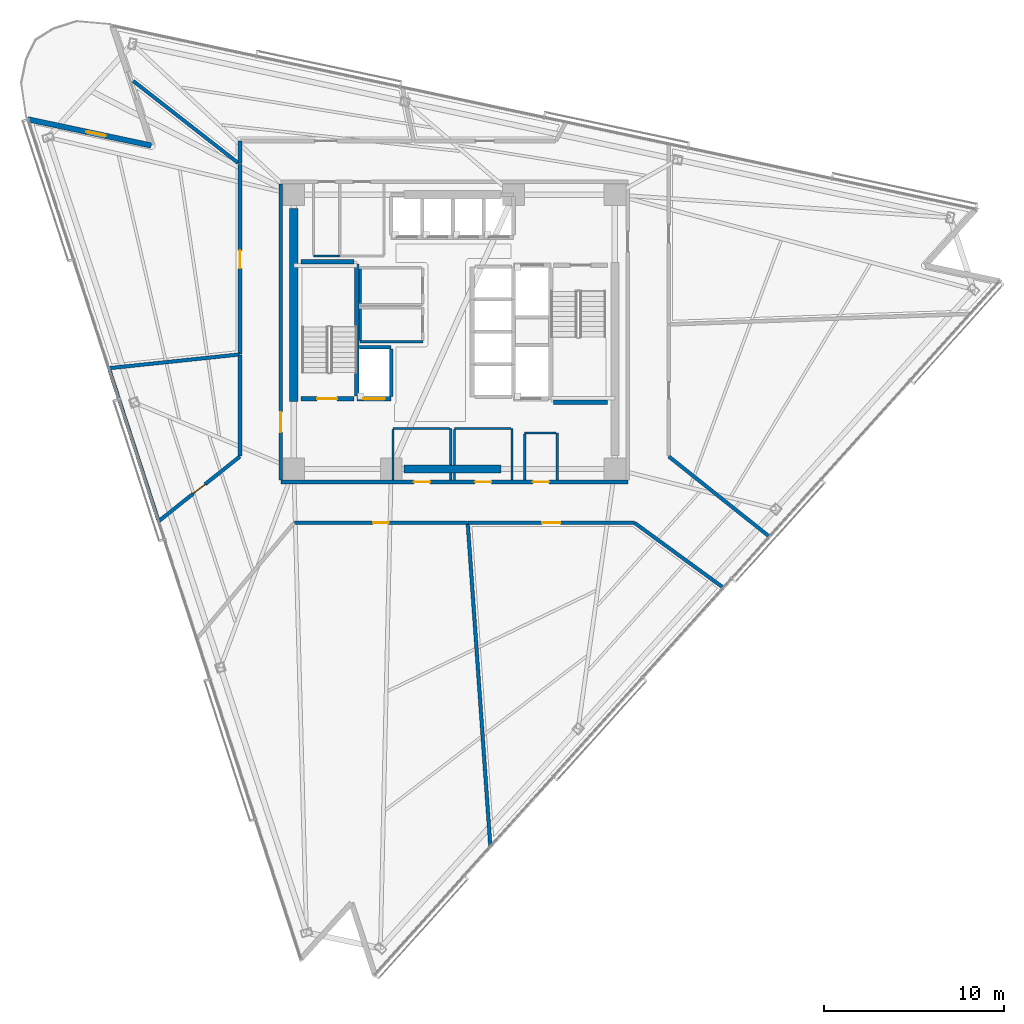
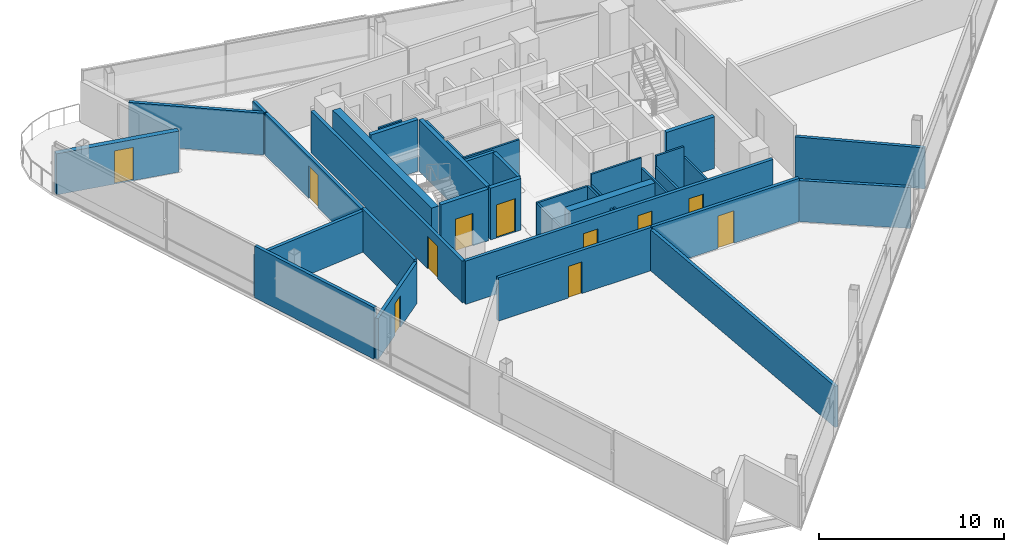
# One storey, part 10 of 17: 39 walls, 11 doors, 11 openings.
"""IFC4 building model written with IfcOpenShell, lengths in metres."""

import ifcopenshell
import ifcopenshell.guid

model = None  # the IFC model being written
_history = None  # IfcOwnerHistory: only IFC2X3 demands one
_inside = {}  # id of a spatial element -> (the spatial element, [elements in it])
_under = {}  # id of a project, library or spatial element -> (it, [spatial elements below it])
_declared = {}  # id of a project -> (the project, [libraries it declares])
_typed = {}  # id of a type object -> (the type object, [elements of that type])
_made_of = {}  # id of a material, layer set ... -> (it, [elements and type objects made of it])


def new_model(schema):
    """Start an empty IFC model of exactly this schema.

    Asked for "IFC4X3", IfcOpenShell would pick the latest addendum, in which some entities
    have other attributes; the version numbers below select the first issue.
    IFC2X3 requires an IfcOwnerHistory on every rooted entity: one is made here for all.
    """
    global model, _history
    if schema == "IFC4X3":
        model = ifcopenshell.file(schema_version=(4, 3, 0, 0))
    else:
        model = ifcopenshell.file(schema=schema)
    _inside.clear()
    _under.clear()
    _declared.clear()
    _typed.clear()
    _made_of.clear()
    _history = None
    if model.schema == "IFC2X3":
        org = make("IfcOrganization", Name="unknown")
        user = make(
            "IfcPersonAndOrganization",
            ThePerson=make("IfcPerson", FamilyName="unknown"),
            TheOrganization=org,
        )
        app = make(
            "IfcApplication",
            ApplicationDeveloper=org,
            Version="unknown",
            ApplicationFullName="unknown",
            ApplicationIdentifier="unknown",
        )
        _history = make(
            "IfcOwnerHistory",
            OwningUser=user,
            OwningApplication=app,
            ChangeAction="ADDED",
            CreationDate=0,
        )
    return model


def make(cls, **values):
    """One entity of the class cls with the attributes given. An attribute that is None is left unset."""
    return model.create_entity(
        cls, **{name: value for name, value in values.items() if value is not None}
    )


def rooted(cls, **values):
    """An entity with a GlobalId (a new one), such as an element, a storey or a relation."""
    return make(cls, GlobalId=ifcopenshell.guid.new(), OwnerHistory=_history, **values)


def si_unit(unit_type, name, prefix=None):
    """IfcSIUnit, for example si_unit("LENGTHUNIT", "METRE", prefix="MILLI")."""
    return make("IfcSIUnit", UnitType=unit_type, Prefix=prefix, Name=name)


def assignment(units):
    """IfcUnitAssignment: the units of a project."""
    return None if units is None else make("IfcUnitAssignment", Units=units)


def point(xyz):
    """IfcCartesianPoint."""
    return None if xyz is None else make("IfcCartesianPoint", Coordinates=xyz)


def direction(xyz):
    """IfcDirection."""
    return None if xyz is None else make("IfcDirection", DirectionRatios=xyz)


def frame(location, z_axis=None, x_axis=None):
    """IfcAxis2Placement3D, a coordinate frame: its origin and axes. An axis left out is left unset."""
    return make(
        "IfcAxis2Placement3D",
        Location=point(location),
        Axis=direction(z_axis),
        RefDirection=direction(x_axis),
    )


def frame_2d(location, x_axis=None):
    """IfcAxis2Placement2D, a coordinate frame in the plane: its origin and x axis."""
    return make(
        "IfcAxis2Placement2D", Location=point(location), RefDirection=direction(x_axis)
    )


def origin():
    """The frame at (0, 0, 0) with its axes left unset."""
    return frame((0.0, 0.0, 0.0))


def place(relative_to, where):
    """IfcLocalPlacement: puts the frame where relative to a parent placement (None: the world)."""
    return make(
        "IfcLocalPlacement", PlacementRelTo=relative_to, RelativePlacement=where
    )


def context(
    kind, dimensions, precision=None, world=None, true_north=None, identifier=None
):
    """IfcGeometricRepresentationContext, for example the 3D "Model" context."""
    return make(
        "IfcGeometricRepresentationContext",
        ContextIdentifier=identifier,
        ContextType=kind,
        CoordinateSpaceDimension=dimensions,
        Precision=precision,
        WorldCoordinateSystem=world,
        TrueNorth=true_north,
    )


def subcontext(parent, identifier, kind, view, scale=None):
    """IfcGeometricRepresentationSubContext, for example "Body" below "Model"."""
    return make(
        "IfcGeometricRepresentationSubContext",
        ContextIdentifier=identifier,
        ContextType=kind,
        ParentContext=parent,
        TargetScale=scale,
        TargetView=view,
    )


def project(units=None, contexts=None):
    """IfcProject with its units and contexts."""
    return rooted(
        "IfcProject",
        Name="project",
        RepresentationContexts=contexts,
        UnitsInContext=assignment(units),
    )


def spatial(cls, under=None, at=None, **own):
    """A site, building, storey or space (cls), placed at a placement, below another one or the project."""
    s = rooted(cls, ObjectPlacement=at, **own)
    if under is not None:
        _under.setdefault(under.id(), (under, []))[1].append(s)
    return s


def profile(cls, at=None, kind="AREA", **sizes):
    """A parametric profile (cls). Its sizes go by their IFC names, for example OverallWidth=200.0."""
    return make(cls, ProfileType=kind, Position=at, **sizes)


def rectangle(**sizes):
    """IfcRectangleProfileDef."""
    return profile("IfcRectangleProfileDef", **sizes)


def extrude(swept, where, along, depth):
    """IfcExtrudedAreaSolid: the profile swept, set in the frame where, extruded along a direction by depth."""
    return make(
        "IfcExtrudedAreaSolid",
        SweptArea=swept,
        Position=where,
        ExtrudedDirection=direction(along),
        Depth=depth,
    )


def shape(context_of_items, identifier, shape_type, items):
    """IfcShapeRepresentation: the items that make up one representation, for example the "Body"."""
    return make(
        "IfcShapeRepresentation",
        ContextOfItems=context_of_items,
        RepresentationIdentifier=identifier,
        RepresentationType=shape_type,
        Items=items,
    )


def material(Name=None, Category=None):
    """IfcMaterial."""
    return make("IfcMaterial", Name=Name, Category=Category)


def layer(
    of_material, thickness, ventilated=None, Name=None, Category=None, Priority=None
):
    """IfcMaterialLayer: one layer of a wall or slab, of a material (None: an air gap)."""
    return make(
        "IfcMaterialLayer",
        Material=of_material,
        LayerThickness=thickness,
        IsVentilated=ventilated,
        Name=Name,
        Category=Category,
        Priority=Priority,
    )


def layer_set(layers, Name=None):
    """IfcMaterialLayerSet."""
    return make("IfcMaterialLayerSet", MaterialLayers=layers, LayerSetName=Name)


def made_of(thing, what):
    """Note that an element or type object is made of a material, layer set ...; save() writes the relation."""
    if what is not None:
        _made_of.setdefault(what.id(), (what, []))[1].append(thing)
    return thing


def type_object(cls, material=None, **own):
    """A type object (cls), such as IfcWallType, which elements share."""
    return made_of(rooted(cls, **own), material)


def element(
    cls,
    number,
    at=None,
    inside=None,
    cuts=None,
    type_object=None,
    material=None,
    context=None,
    identifier="Body",
    shape_type=None,
    held_by="IfcProductDefinitionShape",
    body=None,
    shapes=None,
    **own,
):
    """One element of the class cls, such as IfcWall. Its Tag is "e" and its number.

    at: its placement. inside: the storey or other place that contains it. cuts: it is an
    opening in that element (IfcRelVoidsElement). A single representation is given by context,
    identifier, shape_type and body (its items); several are given by shapes. held_by: the class
    of the entity that holds the representations. save() writes the other relations.
    """
    e = rooted(cls, Tag="e%d" % number, ObjectPlacement=at, **own)
    if body is not None:
        shapes = [shape(context, identifier, shape_type, body)]
    if shapes is not None:
        e.Representation = make(held_by, Representations=shapes)
    if inside is not None:
        _inside.setdefault(inside.id(), (inside, []))[1].append(e)
    if cuts is not None:
        rooted(
            "IfcRelVoidsElement", RelatingBuildingElement=cuts, RelatedOpeningElement=e
        )
    if type_object is not None:
        _typed.setdefault(type_object.id(), (type_object, []))[1].append(e)
    return made_of(e, material)


def fill(opening, filler):
    """IfcRelFillsElement: the door or window that sits in an opening."""
    return rooted(
        "IfcRelFillsElement",
        RelatingOpeningElement=opening,
        RelatedBuildingElement=filler,
    )


def aggregate(whole, parts):
    """IfcRelAggregates: a whole, such as a stair, and the parts it consists of."""
    return rooted("IfcRelAggregates", RelatingObject=whole, RelatedObjects=parts)


def save(model, path):
    """Write the relations noted so far, then the file.

    IfcRelAggregates (storeys below a building ...), IfcRelContainedInSpatialStructure (elements
    in a storey), IfcRelDefinesByType, IfcRelAssociatesMaterial and IfcRelDeclares: one each for
    every whole, place, type object, material and project.
    """
    for whole, parts in _under.values():
        aggregate(whole, parts)
    for where, things in _inside.values():
        rooted(
            "IfcRelContainedInSpatialStructure",
            RelatedElements=things,
            RelatingStructure=where,
        )
    for kind, things in _typed.values():
        rooted("IfcRelDefinesByType", RelatedObjects=things, RelatingType=kind)
    for what, things in _made_of.values():
        rooted("IfcRelAssociatesMaterial", RelatedObjects=things, RelatingMaterial=what)
    for by, libraries in _declared.values():
        rooted("IfcRelDeclares", RelatingContext=by, RelatedDefinitions=libraries)
    model.write(path)


model = new_model("IFC4")

# Units and contexts
model_context = context("Model", 3, precision=1e-05, world=origin(), true_north=direction((0.0, 1.0)))
body_context = subcontext(model_context, "Body", "Model", "MODEL_VIEW")
ifc_project = project(units=[si_unit("LENGTHUNIT", "METRE"), si_unit("AREAUNIT", "SQUARE_METRE"), si_unit("VOLUMEUNIT", "CUBIC_METRE"), si_unit("PLANEANGLEUNIT", "RADIAN"), si_unit("MASSUNIT", "GRAM", prefix="KILO")], contexts=[model_context])

# Site, building, storey
site_placement = place(None, origin())
site = spatial("IfcSite", under=ifc_project, at=site_placement, CompositionType="ELEMENT")
building_placement = place(site_placement, origin())
building = spatial("IfcBuilding", under=site, at=building_placement, Name="Tharavind Bronze Gate", CompositionType="ELEMENT")
storey_placement = place(building_placement, frame((0.0, 0.0, 204.050048828125)))
storey = spatial("IfcBuildingStorey", under=building, at=storey_placement, Name="L52", CompositionType="ELEMENT", Elevation=204.050048828125)

# Wall, opening, door
ifc_material_1 = material(Name="Concrete C40/50", Category="concrete")
ifc_layer_1 = layer(ifc_material_1, 0.300048828125)
ifc_layer_set_1 = layer_set([ifc_layer_1], Name="Concrete C40/50")
wall_type_1 = type_object("IfcWallType", Name="EXTERIOR SPANDREL WALL 300", PredefinedType="STANDARD", material=ifc_layer_set_1)
wall_1_placement = place(storey_placement, frame((-16.802734375, 10.329345703125, 0.0), z_axis=(0.0, 0.0, 1.0), x_axis=(-0.9781486268, 0.207906863497, 0.0)))
wall_1 = element("IfcWall", 1, at=wall_1_placement, inside=storey, type_object=wall_type_1, Name="L52 notch cheek wall 1B", PredefinedType="STANDARD", context=body_context, shape_type="SweptSolid", body=[
    extrude(rectangle(XDim=6.97998046875, YDim=0.300048828125, at=frame_2d((3.489990234375, 0.0))), origin(), (0.0, 0.0, 1.0), 2.71484375),
])
opening_1_placement = place(wall_1_placement, frame((2.570068359375, 0.0, 0.0)))
opening_1 = element("IfcOpeningElement", 2, at=opening_1_placement, cuts=wall_1, Name="Opening ED04", PredefinedType="OPENING", context=body_context, shape_type="SweptSolid", body=[
    extrude(rectangle(XDim=1.10009765625, YDim=2.199951171875, at=frame_2d((0.550048828125, 1.10009765625))), frame((0.0, 0.15990234375, 0.0), z_axis=(0.0, -1.0, 0.0), x_axis=(1.0, 0.0, 0.0)), (0.0, 0.0, 1.0), 0.320048828125),
])
ifc_material_2 = material(Name="Bronze Aluminium & Toughened Glass", Category="aluminium")
door_type_1 = type_object("IfcDoorType", Name="TREE BALCONY ACCESS DOOR 1100X2200", OperationType="SINGLE_SWING_LEFT", PredefinedType="DOOR", material=ifc_material_2)
door_1_placement = place(opening_1_placement, origin())
door_1 = element("IfcDoor", 3, at=door_1_placement, inside=storey, type_object=door_type_1, Name="L52 tree balcony access door", OperationType="SINGLE_SWING_LEFT", OverallHeight=2.199951171875, OverallWidth=1.10009765625, PredefinedType="DOOR", context=body_context, shape_type="SweptSolid", body=[
    extrude(rectangle(XDim=1.10009765625, YDim=2.199951171875, at=frame_2d((0.550048828125, 1.10009765625))), frame((0.0, 0.02490234375, 0.0), z_axis=(0.0, -1.0, 0.0), x_axis=(1.0, 0.0, 0.0)), (0.0, 0.0, 1.0), 0.050048828125),
])
fill(opening_1, door_1)

# Wall, openings, doors
ifc_material_3 = material(Name="Aerated Concrete Block", Category="concrete")
ifc_layer_2 = layer(ifc_material_3, 0.199951171875)
ifc_layer_set_2 = layer_set([ifc_layer_2], Name="Aerated Concrete Block")
wall_type_2 = type_object("IfcWallType", Name="FIRE RATED PARTITION 200", PredefinedType="PARTITIONING", material=ifc_layer_set_2)
wall_2_placement = place(storey_placement, frame((-9.6201171875, -8.320068359375, 0.0), z_axis=(0.0, 0.0, 1.0), x_axis=(1.0, 0.0, 0.0)))
wall_2 = element("IfcWall", 4, at=wall_2_placement, inside=storey, type_object=wall_type_2, Name="L52 south core corridor wall", PredefinedType="PARTITIONING", context=body_context, shape_type="SweptSolid", body=[
    extrude(rectangle(XDim=19.240234375, YDim=0.199951171875, at=frame_2d((9.6201171875, 0.0))), origin(), (0.0, 0.0, 1.0), 2.864990234375),
])
opening_2_placement = place(wall_2_placement, frame((7.3701171875, 0.0, 0.0)))
opening_2 = element("IfcOpeningElement", 5, at=opening_2_placement, cuts=wall_2, Name="Opening ID07", PredefinedType="OPENING", context=body_context, shape_type="SweptSolid", body=[
    extrude(rectangle(XDim=0.89990234375, YDim=2.10009765625, at=frame_2d((0.449951171875, 1.050048828125))), frame((0.0, 0.11009765625, 0.0), z_axis=(0.0, -1.0, 0.0), x_axis=(1.0, 0.0, 0.0)), (0.0, 0.0, 1.0), 0.219951171875),
])
opening_3_placement = place(wall_2_placement, frame((10.77001953125, 0.0, 0.0)))
opening_3 = element("IfcOpeningElement", 6, at=opening_3_placement, cuts=wall_2, Name="Opening ID07", PredefinedType="OPENING", context=body_context, shape_type="SweptSolid", body=[
    extrude(rectangle(XDim=0.89990234375, YDim=2.10009765625, at=frame_2d((0.449951171875, 1.050048828125))), frame((0.0, 0.11009765625, 0.0), z_axis=(0.0, -1.0, 0.0), x_axis=(1.0, 0.0, 0.0)), (0.0, 0.0, 1.0), 0.219951171875),
])
opening_4_placement = place(wall_2_placement, frame((13.969970703125, 0.0, 0.0)))
opening_4 = element("IfcOpeningElement", 7, at=opening_4_placement, cuts=wall_2, Name="Opening ID07", PredefinedType="OPENING", context=body_context, shape_type="SweptSolid", body=[
    extrude(rectangle(XDim=0.89990234375, YDim=2.10009765625, at=frame_2d((0.449951171875, 1.050048828125))), frame((0.0, 0.11009765625, 0.0), z_axis=(0.0, -1.0, 0.0), x_axis=(1.0, 0.0, 0.0)), (0.0, 0.0, 1.0), 0.219951171875),
])
ifc_material_4 = material(Name="Galvanised Fire Steel", Category="steel")
door_type_2 = type_object("IfcDoorType", Name="PLANT AND RISER FIRE DOOR 900X2100", OperationType="SINGLE_SWING_LEFT", PredefinedType="DOOR", material=ifc_material_4)
door_2_placement = place(opening_2_placement, frame((0.89990234375, 0.0, 0.0), z_axis=(0.0, 0.0, 1.0), x_axis=(-1.0, 0.0, 0.0)))
door_2 = element("IfcDoor", 8, at=door_2_placement, inside=storey, type_object=door_type_2, Name="L52 Core Archive Store fire door", OperationType="SINGLE_SWING_LEFT", OverallHeight=2.10009765625, OverallWidth=0.89990234375, PredefinedType="DOOR", context=body_context, shape_type="SweptSolid", body=[
    extrude(rectangle(XDim=0.89990234375, YDim=2.10009765625, at=frame_2d((0.449951171875, 1.050048828125))), frame((0.0, 0.02490234375, 0.0), z_axis=(0.0, -1.0, 0.0), x_axis=(1.0, 0.0, 0.0)), (0.0, 0.0, 1.0), 0.050048828125),
])
fill(opening_2, door_2)
door_3_placement = place(opening_3_placement, frame((0.89990234375, 0.0, 0.0), z_axis=(0.0, 0.0, 1.0), x_axis=(-1.0, 0.0, 0.0)))
door_3 = element("IfcDoor", 9, at=door_3_placement, inside=storey, type_object=door_type_2, Name="L52 Core Server Room fire door", OperationType="SINGLE_SWING_LEFT", OverallHeight=2.10009765625, OverallWidth=0.89990234375, PredefinedType="DOOR", context=body_context, shape_type="SweptSolid", body=[
    extrude(rectangle(XDim=0.89990234375, YDim=2.10009765625, at=frame_2d((0.449951171875, 1.050048828125))), frame((0.0, 0.02490234375, 0.0), z_axis=(0.0, -1.0, 0.0), x_axis=(1.0, 0.0, 0.0)), (0.0, 0.0, 1.0), 0.050048828125),
])
fill(opening_3, door_3)
door_4_placement = place(opening_4_placement, frame((0.89990234375, 0.0, 0.0), z_axis=(0.0, 0.0, 1.0), x_axis=(-1.0, 0.0, 0.0)))
door_4 = element("IfcDoor", 10, at=door_4_placement, inside=storey, type_object=door_type_2, Name="L52 Janitor Store Cupboard fire door", OperationType="SINGLE_SWING_LEFT", OverallHeight=2.10009765625, OverallWidth=0.89990234375, PredefinedType="DOOR", context=body_context, shape_type="SweptSolid", body=[
    extrude(rectangle(XDim=0.89990234375, YDim=2.10009765625, at=frame_2d((0.449951171875, 1.050048828125))), frame((0.0, 0.02490234375, 0.0), z_axis=(0.0, -1.0, 0.0), x_axis=(1.0, 0.0, 0.0)), (0.0, 0.0, 1.0), 0.050048828125),
])
fill(opening_4, door_4)

# Wall, opening, door
wall_3_placement = place(storey_placement, frame((-9.6201171875, 8.199951171875, 0.0), z_axis=(0.0, 0.0, 1.0), x_axis=(0.0, -1.0, 0.0)))
wall_3 = element("IfcWall", 11, at=wall_3_placement, inside=storey, type_object=wall_type_2, Name="L52 west core corridor wall", PredefinedType="PARTITIONING", context=body_context, shape_type="SweptSolid", body=[
    extrude(rectangle(XDim=16.39990234375, YDim=0.199951171875, at=frame_2d((8.199951171875, 0.0))), origin(), (0.0, 0.0, 1.0), 2.764892578125),
])
opening_5_placement = place(wall_3_placement, frame((12.64990234375, 0.0, 0.0)))
opening_5 = element("IfcOpeningElement", 12, at=opening_5_placement, cuts=wall_3, Name="Opening ID01", PredefinedType="OPENING", context=body_context, shape_type="SweptSolid", body=[
    extrude(rectangle(XDim=1.10009765625, YDim=2.14990234375, at=frame_2d((0.550048828125, 1.074951171875))), frame((0.0, 0.11009765625, 0.0), z_axis=(0.0, -1.0, 0.0), x_axis=(1.0, 0.0, 0.0)), (0.0, 0.0, 1.0), 0.219951171875),
])
ifc_material_5 = material(Name="Fire-Rated Steel", Category="steel")
door_type_3 = type_object("IfcDoorType", Name="STAIR CORE FIRE DOOR 1100X2150", OperationType="SINGLE_SWING_LEFT", PredefinedType="DOOR", material=ifc_material_5)
door_5_placement = place(opening_5_placement, frame((1.10009765625, 0.0, 0.0), z_axis=(0.0, 0.0, 1.0), x_axis=(-1.0, 0.0, 0.0)))
door_5 = element("IfcDoor", 13, at=door_5_placement, inside=storey, type_object=door_type_3, Name="L52 south west stair lobby fire door", OperationType="SINGLE_SWING_LEFT", OverallHeight=2.14990234375, OverallWidth=1.10009765625, PredefinedType="DOOR", context=body_context, shape_type="SweptSolid", body=[
    extrude(rectangle(XDim=1.10009765625, YDim=2.14990234375, at=frame_2d((0.550048828125, 1.074951171875))), frame((0.0, 0.02490234375, 0.0), z_axis=(0.0, -1.0, 0.0), x_axis=(1.0, 0.0, 0.0)), (0.0, 0.0, 1.0), 0.050048828125),
])
fill(opening_5, door_5)

# Walls
wall_4_placement = place(storey_placement, frame((-19.1484375, -2.0126953125, 0.0), z_axis=(0.0, 0.0, 1.0), x_axis=(0.994519041439, 0.104555613029, 0.0)))
element("IfcWall", 14, at=wall_4_placement, inside=storey, type_object=wall_type_2, Name="L52 Public Restrooms Block partition", PredefinedType="PARTITIONING", context=body_context, shape_type="SweptSolid", body=[
    extrude(rectangle(XDim=7.280517578125, YDim=0.199951171875, at=frame_2d((3.64013671875, 0.0))), origin(), (0.0, 0.0, 1.0), 2.71484375),
])
wall_5_placement = place(storey_placement, frame((-11.8798828125, -1.2763671875, 0.0), z_axis=(0.0, 0.0, 1.0), x_axis=(0.0, -1.0, 0.0)))
element("IfcWall", 15, at=wall_5_placement, inside=storey, type_object=wall_type_2, Name="L52 Public Restrooms Block partition", PredefinedType="PARTITIONING", context=body_context, shape_type="SweptSolid", body=[
    extrude(rectangle(XDim=5.614990234375, YDim=0.199951171875, at=frame_2d((2.8076171875, 0.0))), origin(), (0.0, 0.0, 1.0), 2.864990234375),
])

# Wall, opening, door
wall_6_placement = place(storey_placement, frame((-11.889404296875, -6.910888671875, 0.0), z_axis=(0.0, 0.0, 1.0), x_axis=(-0.782381192735, -0.622799862922, 0.0)))
wall_6 = element("IfcWall", 16, at=wall_6_placement, inside=storey, type_object=wall_type_2, Name="L52 Public Restrooms Block partition", PredefinedType="PARTITIONING", context=body_context, shape_type="SweptSolid", body=[
    extrude(rectangle(XDim=5.75537109375, YDim=0.199951171875, at=frame_2d((2.877685546875, 0.0))), origin(), (0.0, 0.0, 1.0), 2.71484375),
])
opening_6_placement = place(wall_6_placement, frame((2.452880859375, 0.0, 0.0)))
opening_6 = element("IfcOpeningElement", 17, at=opening_6_placement, cuts=wall_6, Name="Opening ID06", PredefinedType="OPENING", context=body_context, shape_type="SweptSolid", body=[
    extrude(rectangle(XDim=0.85009765625, YDim=2.10009765625, at=frame_2d((0.425048828125, 1.050048828125))), frame((0.0, 0.11009765625, 0.0), z_axis=(0.0, -1.0, 0.0), x_axis=(1.0, 0.0, 0.0)), (0.0, 0.0, 1.0), 0.219951171875),
])
ifc_material_6 = material(Name="Moisture-Resistant Timber", Category="wood")
door_type_4 = type_object("IfcDoorType", Name="BATHROOM PRIVACY DOOR 850X2100", OperationType="SINGLE_SWING_RIGHT", PredefinedType="DOOR", material=ifc_material_6)
door_6_placement = place(opening_6_placement, origin())
door_6 = element("IfcDoor", 18, at=door_6_placement, inside=storey, type_object=door_type_4, Name="L52 Public Restrooms Block door", OperationType="SINGLE_SWING_RIGHT", OverallHeight=2.10009765625, OverallWidth=0.85009765625, PredefinedType="DOOR", context=body_context, shape_type="SweptSolid", body=[
    extrude(rectangle(XDim=0.85009765625, YDim=2.10009765625, at=frame_2d((0.425048828125, 1.050048828125))), frame((0.0, 0.02490234375, 0.0), z_axis=(0.0, -1.0, 0.0), x_axis=(1.0, 0.0, 0.0)), (0.0, 0.0, 1.0), 0.050048828125),
])
fill(opening_6, door_6)

# Wall
wall_7_placement = place(storey_placement, frame((-16.427001953125, -10.388916015625, 0.0), z_axis=(0.0, 0.0, 1.0), x_axis=(-0.309020714809, 0.951055307445, 0.0)))
element("IfcWall", 19, at=wall_7_placement, inside=storey, type_object=wall_type_2, Name="L52 Public Restrooms Block partition", PredefinedType="PARTITIONING", context=body_context, shape_type="SweptSolid", body=[
    extrude(rectangle(XDim=8.699951171875, YDim=0.199951171875, at=frame_2d((4.35009765625, 0.0))), origin(), (0.0, 0.0, 1.0), 3.419921875),
])

# Wall, opening, door
wall_8_placement = place(storey_placement, frame((-8.865966796875, -10.580078125, 0.0), z_axis=(0.0, 0.0, 1.0), x_axis=(1.0, 0.0, 0.0)))
wall_8 = element("IfcWall", 20, at=wall_8_placement, inside=storey, type_object=wall_type_2, Name="L52 Public Restrooms Block partition", PredefinedType="PARTITIONING", context=body_context, shape_type="SweptSolid", body=[
    extrude(rectangle(XDim=9.58251953125, YDim=0.199951171875, at=frame_2d((4.791259765625, 0.0))), origin(), (0.0, 0.0, 1.0), 2.864990234375),
])
opening_7_placement = place(wall_8_placement, frame((4.365966796875, 0.0, 0.0)))
opening_7 = element("IfcOpeningElement", 21, at=opening_7_placement, cuts=wall_8, Name="Opening ID06", PredefinedType="OPENING", context=body_context, shape_type="SweptSolid", body=[
    extrude(rectangle(XDim=0.85009765625, YDim=2.10009765625, at=frame_2d((0.425048828125, 1.050048828125))), frame((0.0, 0.11009765625, 0.0), z_axis=(0.0, -1.0, 0.0), x_axis=(1.0, 0.0, 0.0)), (0.0, 0.0, 1.0), 0.219951171875),
])
door_7_placement = place(opening_7_placement, origin())
door_7 = element("IfcDoor", 22, at=door_7_placement, inside=storey, type_object=door_type_4, Name="L52 Public Restrooms Block door", OperationType="SINGLE_SWING_RIGHT", OverallHeight=2.10009765625, OverallWidth=0.85009765625, PredefinedType="DOOR", context=body_context, shape_type="SweptSolid", body=[
    extrude(rectangle(XDim=0.85009765625, YDim=2.10009765625, at=frame_2d((0.425048828125, 1.050048828125))), frame((0.0, 0.02490234375, 0.0), z_axis=(0.0, -1.0, 0.0), x_axis=(1.0, 0.0, 0.0)), (0.0, 0.0, 1.0), 0.050048828125),
])
fill(opening_7, door_7)

# Walls
wall_9_placement = place(storey_placement, frame((0.741455078125, -10.603271484375, 0.0), z_axis=(0.0, 0.0, 1.0), x_axis=(0.069754121939, -0.997564214711, 0.0)))
element("IfcWall", 23, at=wall_9_placement, inside=storey, type_object=wall_type_2, Name="L52 Public Restrooms Block partition", PredefinedType="PARTITIONING", context=body_context, shape_type="SweptSolid", body=[
    extrude(rectangle(XDim=17.944580078125, YDim=0.199951171875, at=frame_2d((8.97216796875, 0.0))), origin(), (0.0, 0.0, 1.0), 2.71484375),
])
wall_10_placement = place(storey_placement, frame((-11.8798828125, 10.579345703125, 0.0), z_axis=(0.0, 0.0, 1.0), x_axis=(0.0, -1.0, 0.0)))
element("IfcWall", 24, at=wall_10_placement, inside=storey, type_object=wall_type_2, Name="L52 Pitch Arena Meeting Room partition", PredefinedType="PARTITIONING", context=body_context, shape_type="SweptSolid", body=[
    extrude(rectangle(XDim=1.246337890625, YDim=0.199951171875, at=frame_2d((0.623046875, 0.0))), origin(), (0.0, 0.0, 1.0), 2.764892578125),
])
wall_11_placement = place(storey_placement, frame((-11.985107421875, 9.36376953125, 0.0), z_axis=(0.0, 0.0, 1.0), x_axis=(-0.788011338845, 0.615660726254, 0.0)))
element("IfcWall", 25, at=wall_11_placement, inside=storey, type_object=wall_type_2, Name="L52 Pitch Arena Meeting Room partition", PredefinedType="PARTITIONING", context=body_context, shape_type="SweptSolid", body=[
    extrude(rectangle(XDim=7.383056640625, YDim=0.199951171875, at=frame_2d((3.69140625, 0.0))), origin(), (0.0, 0.0, 1.0), 2.764892578125),
])

# Wall, opening, door
wall_12_placement = place(storey_placement, frame((-11.8798828125, 9.26953125, 0.0), z_axis=(0.0, 0.0, 1.0), x_axis=(0.0, -1.0, 0.0)))
wall_12 = element("IfcWall", 26, at=wall_12_placement, inside=storey, type_object=wall_type_2, Name="L52 Founder Open Office partition", PredefinedType="PARTITIONING", context=body_context, shape_type="SweptSolid", body=[
    extrude(rectangle(XDim=10.49560546875, YDim=0.199951171875, at=frame_2d((5.247802734375, 0.0))), origin(), (0.0, 0.0, 1.0), 2.764892578125),
])
opening_8_placement = place(wall_12_placement, frame((4.748046875, 0.0, 0.0)))
opening_8 = element("IfcOpeningElement", 27, at=opening_8_placement, cuts=wall_12, Name="Opening ID04", PredefinedType="OPENING", context=body_context, shape_type="SweptSolid", body=[
    extrude(rectangle(XDim=1.0, YDim=2.14990234375, at=frame_2d((0.5, 1.074951171875))), frame((0.0, 0.11009765625, 0.0), z_axis=(0.0, -1.0, 0.0), x_axis=(1.0, 0.0, 0.0)), (0.0, 0.0, 1.0), 0.219951171875),
])
ifc_material_7 = material(Name="Bronze Framed Acoustic Timber", Category="wood")
door_type_5 = type_object("IfcDoorType", Name="OFFICE TENANCY DOOR 1000X2150", OperationType="SINGLE_SWING_RIGHT", PredefinedType="DOOR", material=ifc_material_7)
door_8_placement = place(opening_8_placement, origin())
door_8 = element("IfcDoor", 28, at=door_8_placement, inside=storey, type_object=door_type_5, Name="L52 Founder Open Office door", OperationType="SINGLE_SWING_RIGHT", OverallHeight=2.14990234375, OverallWidth=1.0, PredefinedType="DOOR", context=body_context, shape_type="SweptSolid", body=[
    extrude(rectangle(XDim=1.0, YDim=2.14990234375, at=frame_2d((0.5, 1.074951171875))), frame((0.0, 0.02490234375, 0.0), z_axis=(0.0, -1.0, 0.0), x_axis=(1.0, 0.0, 0.0)), (0.0, 0.0, 1.0), 0.050048828125),
])
fill(opening_8, door_8)

wall_13_placement = place(storey_placement, frame((0.7666015625, -10.580078125, 0.0), z_axis=(0.0, 0.0, 1.0), x_axis=(1.0, 0.0, 0.0)))
wall_13 = element("IfcWall", 29, at=wall_13_placement, inside=storey, type_object=wall_type_2, Name="L52 Podcast Media Room partition", PredefinedType="PARTITIONING", context=body_context, shape_type="SweptSolid", body=[
    extrude(rectangle(XDim=9.203369140625, YDim=0.199951171875, at=frame_2d((4.6015625, 0.0))), origin(), (0.0, 0.0, 1.0), 2.864990234375),
])
opening_9_placement = place(wall_13_placement, frame((4.10205078125, 0.0, 0.0)))
opening_9 = element("IfcOpeningElement", 30, at=opening_9_placement, cuts=wall_13, Name="Opening ID04", PredefinedType="OPENING", context=body_context, shape_type="SweptSolid", body=[
    extrude(rectangle(XDim=1.0, YDim=2.14990234375, at=frame_2d((0.5, 1.074951171875))), frame((0.0, 0.11009765625, 0.0), z_axis=(0.0, -1.0, 0.0), x_axis=(1.0, 0.0, 0.0)), (0.0, 0.0, 1.0), 0.219951171875),
])
door_9_placement = place(opening_9_placement, origin())
door_9 = element("IfcDoor", 31, at=door_9_placement, inside=storey, type_object=door_type_5, Name="L52 Podcast Media Room door", OperationType="SINGLE_SWING_RIGHT", OverallHeight=2.14990234375, OverallWidth=1.0, PredefinedType="DOOR", context=body_context, shape_type="SweptSolid", body=[
    extrude(rectangle(XDim=1.0, YDim=2.14990234375, at=frame_2d((0.5, 1.074951171875))), frame((0.0, 0.02490234375, 0.0), z_axis=(0.0, -1.0, 0.0), x_axis=(1.0, 0.0, 0.0)), (0.0, 0.0, 1.0), 0.050048828125),
])
fill(opening_9, door_9)

# Walls
wall_14_placement = place(storey_placement, frame((9.98486328125, -10.584716796875, 0.0), z_axis=(0.0, 0.0, 1.0), x_axis=(0.807842527243, -0.589398380705, 0.0)))
element("IfcWall", 32, at=wall_14_placement, inside=storey, type_object=wall_type_2, Name="L52 Podcast Media Room partition", PredefinedType="PARTITIONING", context=body_context, shape_type="SweptSolid", body=[
    extrude(rectangle(XDim=6.091064453125, YDim=0.199951171875, at=frame_2d((3.04541015625, 0.0))), origin(), (0.0, 0.0, 1.0), 2.71484375),
])
wall_15_placement = place(storey_placement, frame((17.4560546875, -11.34228515625, 0.0), z_axis=(0.0, 0.0, 1.0), x_axis=(-0.782369623791, 0.622814395923, 0.0)))
element("IfcWall", 33, at=wall_15_placement, inside=storey, type_object=wall_type_2, Name="L52 Tea Pantry partition", PredefinedType="PARTITIONING", context=body_context, shape_type="SweptSolid", body=[
    extrude(rectangle(XDim=7.115234375, YDim=0.199951171875, at=frame_2d((3.5576171875, 0.0))), origin(), (0.0, 0.0, 1.0), 2.71484375),
])
ifc_material_8 = material(Name="Metal Stud Gypsum Partition", Category="gypsum")
ifc_layer_3 = layer(ifc_material_8, 0.1201171875)
ifc_layer_set_3 = layer_set([ifc_layer_3], Name="Metal Stud Gypsum Partition")
wall_type_3 = type_object("IfcWallType", Name="INTERIOR PARTITION WALL 120", PredefinedType="PARTITIONING", material=ifc_layer_set_3)
wall_16_placement = place(storey_placement, frame((-5.219970703125, 3.485107421875, 0.0), z_axis=(0.0, 0.0, 1.0), x_axis=(0.0, -1.0, 0.0)))
element("IfcWall", 34, at=wall_16_placement, inside=storey, type_object=wall_type_3, Name="L52 Cleaner Store Room partition 4", PredefinedType="PARTITIONING", context=body_context, shape_type="SweptSolid", body=[
    extrude(rectangle(XDim=1.900146484375, YDim=0.1201171875, at=frame_2d((0.9501953125, 0.0))), origin(), (0.0, 0.0, 1.0), 3.419921875),
])
wall_17_placement = place(storey_placement, frame((-5.219970703125, -0.550048828125, 0.0), z_axis=(0.0, 0.0, 1.0), x_axis=(1.0, 0.0, 0.0)))
element("IfcWall", 35, at=wall_17_placement, inside=storey, type_object=wall_type_3, Name="L52 Electrical Switch Room partition 1", PredefinedType="PARTITIONING", context=body_context, shape_type="SweptSolid", body=[
    extrude(rectangle(XDim=3.469970703125, YDim=0.1201171875, at=frame_2d((1.73486328125, 0.0))), origin(), (0.0, 0.0, 1.0), 3.419921875),
])
wall_18_placement = place(storey_placement, frame((-5.219970703125, 1.27490234375, 0.0), z_axis=(0.0, 0.0, 1.0), x_axis=(0.0, -1.0, 0.0)))
element("IfcWall", 36, at=wall_18_placement, inside=storey, type_object=wall_type_3, Name="L52 Electrical Switch Room partition 4", PredefinedType="PARTITIONING", context=body_context, shape_type="SweptSolid", body=[
    extrude(rectangle(XDim=1.760009765625, YDim=0.1201171875, at=frame_2d((0.8798828125, 0.0))), origin(), (0.0, 0.0, 1.0), 3.419921875),
])
wall_19_placement = place(storey_placement, frame((-0.199951171875, -8.215087890625, 0.0), z_axis=(0.0, 0.0, 1.0), x_axis=(0.0, 1.0, 0.0)))
element("IfcWall", 37, at=wall_19_placement, inside=storey, type_object=wall_type_3, Name="L52 Core Archive Store partition 2", PredefinedType="PARTITIONING", context=body_context, shape_type="SweptSolid", body=[
    extrude(rectangle(XDim=0.385009765625, YDim=0.1201171875, at=frame_2d((0.1923828125, 0.0))), origin(), (0.0, 0.0, 1.0), 2.71484375),
])
wall_20_placement = place(storey_placement, frame((-0.199951171875, -7.3701171875, 0.0), z_axis=(0.0, 0.0, 1.0), x_axis=(0.0, 1.0, 0.0)))
element("IfcWall", 38, at=wall_20_placement, inside=storey, type_object=wall_type_3, Name="L52 Core Archive Store partition 2", PredefinedType="PARTITIONING", context=body_context, shape_type="SweptSolid", body=[
    extrude(rectangle(XDim=2.02001953125, YDim=0.1201171875, at=frame_2d((1.010009765625, 0.0))), origin(), (0.0, 0.0, 1.0), 2.71484375),
])
wall_21_placement = place(storey_placement, frame((-0.264892578125, -5.35009765625, 0.0), z_axis=(0.0, 0.0, 1.0), x_axis=(-1.0, 0.0, 0.0)))
element("IfcWall", 39, at=wall_21_placement, inside=storey, type_object=wall_type_3, Name="L52 Core Archive Store partition 3", PredefinedType="PARTITIONING", context=body_context, shape_type="SweptSolid", body=[
    extrude(rectangle(XDim=3.135009765625, YDim=0.1201171875, at=frame_2d((1.5673828125, 0.0))), origin(), (0.0, 0.0, 1.0), 2.71484375),
])
wall_22_placement = place(storey_placement, frame((-3.39990234375, -5.4150390625, 0.0), z_axis=(0.0, 0.0, 1.0), x_axis=(0.0, -1.0, 0.0)))
element("IfcWall", 40, at=wall_22_placement, inside=storey, type_object=wall_type_3, Name="L52 Core Archive Store partition 4", PredefinedType="PARTITIONING", context=body_context, shape_type="SweptSolid", body=[
    extrude(rectangle(XDim=2.800048828125, YDim=0.1201171875, at=frame_2d((1.39990234375, 0.0))), origin(), (0.0, 0.0, 1.0), 2.71484375),
])
wall_23_placement = place(storey_placement, frame((3.199951171875, -8.215087890625, 0.0), z_axis=(0.0, 0.0, 1.0), x_axis=(0.0, 1.0, 0.0)))
element("IfcWall", 41, at=wall_23_placement, inside=storey, type_object=wall_type_3, Name="L52 Core Server Room partition 2", PredefinedType="PARTITIONING", context=body_context, shape_type="SweptSolid", body=[
    extrude(rectangle(XDim=2.864990234375, YDim=0.1201171875, at=frame_2d((1.4326171875, 0.0))), origin(), (0.0, 0.0, 1.0), 2.71484375),
])
wall_24_placement = place(storey_placement, frame((3.135009765625, -5.35009765625, 0.0), z_axis=(0.0, 0.0, 1.0), x_axis=(-1.0, 0.0, 0.0)))
element("IfcWall", 42, at=wall_24_placement, inside=storey, type_object=wall_type_3, Name="L52 Core Server Room partition 3", PredefinedType="PARTITIONING", context=body_context, shape_type="SweptSolid", body=[
    extrude(rectangle(XDim=3.135009765625, YDim=0.1201171875, at=frame_2d((1.5673828125, 0.0))), origin(), (0.0, 0.0, 1.0), 3.419921875),
])
wall_25_placement = place(storey_placement, frame((0.0, -5.4150390625, 0.0), z_axis=(0.0, 0.0, 1.0), x_axis=(0.0, -1.0, 0.0)))
element("IfcWall", 43, at=wall_25_placement, inside=storey, type_object=wall_type_3, Name="L52 Core Server Room partition 4", PredefinedType="PARTITIONING", context=body_context, shape_type="SweptSolid", body=[
    extrude(rectangle(XDim=1.955078125, YDim=0.1201171875, at=frame_2d((0.9775390625, 0.0))), origin(), (0.0, 0.0, 1.0), 2.71484375),
])
wall_26_placement = place(storey_placement, frame((0.0, -7.830078125, 0.0), z_axis=(0.0, 0.0, 1.0), x_axis=(0.0, -1.0, 0.0)))
element("IfcWall", 44, at=wall_26_placement, inside=storey, type_object=wall_type_3, Name="L52 Core Server Room partition 4", PredefinedType="PARTITIONING", context=body_context, shape_type="SweptSolid", body=[
    extrude(rectangle(XDim=0.385009765625, YDim=0.1201171875, at=frame_2d((0.1923828125, 0.0))), origin(), (0.0, 0.0, 1.0), 2.71484375),
])
wall_27_placement = place(storey_placement, frame((-7.800048828125, 4.199951171875, 0.0), z_axis=(0.0, 0.0, 1.0), x_axis=(1.0, 0.0, 0.0)))
element("IfcWall", 45, at=wall_27_placement, inside=storey, type_object=wall_type_3, Name="L52 Battery Backup Cupboard partition 1", PredefinedType="PARTITIONING", context=body_context, shape_type="SweptSolid", body=[
    extrude(rectangle(XDim=1.449951171875, YDim=0.1201171875, at=frame_2d((0.72509765625, 0.0))), origin(), (0.0, 0.0, 1.0), 3.419921875),
])
wall_28_placement = place(storey_placement, frame((5.699951171875, -8.215087890625, 0.0), z_axis=(0.0, 0.0, 1.0), x_axis=(0.0, 1.0, 0.0)))
element("IfcWall", 46, at=wall_28_placement, inside=storey, type_object=wall_type_3, Name="L52 Janitor Store Cupboard partition 2", PredefinedType="PARTITIONING", context=body_context, shape_type="SweptSolid", body=[
    extrude(rectangle(XDim=2.614990234375, YDim=0.1201171875, at=frame_2d((1.3076171875, 0.0))), origin(), (0.0, 0.0, 1.0), 2.71484375),
])
wall_29_placement = place(storey_placement, frame((5.635009765625, -5.60009765625, 0.0), z_axis=(0.0, 0.0, 1.0), x_axis=(-1.0, 0.0, 0.0)))
element("IfcWall", 47, at=wall_29_placement, inside=storey, type_object=wall_type_3, Name="L52 Janitor Store Cupboard partition 3", PredefinedType="PARTITIONING", context=body_context, shape_type="SweptSolid", body=[
    extrude(rectangle(XDim=1.735107421875, YDim=0.1201171875, at=frame_2d((0.86767578125, 0.0))), origin(), (0.0, 0.0, 1.0), 3.419921875),
])
wall_30_placement = place(storey_placement, frame((3.89990234375, -5.6650390625, 0.0), z_axis=(0.0, 0.0, 1.0), x_axis=(0.0, -1.0, 0.0)))
element("IfcWall", 48, at=wall_30_placement, inside=storey, type_object=wall_type_3, Name="L52 Janitor Store Cupboard partition 4", PredefinedType="PARTITIONING", context=body_context, shape_type="SweptSolid", body=[
    extrude(rectangle(XDim=2.550048828125, YDim=0.1201171875, at=frame_2d((1.27490234375, 0.0))), origin(), (0.0, 0.0, 1.0), 2.71484375),
])
ifc_material_9 = material(Name="Concrete C50/60", Category="concrete")
ifc_layer_4 = layer(ifc_material_9, 0.25)
ifc_layer_set_4 = layer_set([ifc_layer_4], Name="Concrete C50/60")
wall_type_4 = type_object("IfcWallType", Name="RC CORE SHEAR WALL 250", PredefinedType="SHEAR", material=ifc_layer_set_4)
wall_31_placement = place(storey_placement, frame((-5.39990234375, -3.550048828125, 0.0), z_axis=(0.0, 0.0, 1.0), x_axis=(0.0, 1.0, 0.0)))
element("IfcWall", 49, at=wall_31_placement, inside=storey, type_object=wall_type_4, Name="L52 ST1 shaft east wall", PredefinedType="SHEAR", context=body_context, shape_type="SweptSolid", body=[
    extrude(rectangle(XDim=7.300048828125, YDim=0.25, at=frame_2d((3.64990234375, 0.0))), origin(), (0.0, 0.0, 1.0), 3.419921875),
])

# Wall, opening, door
wall_32_placement = place(storey_placement, frame((-8.5, -3.699951171875, 0.0), z_axis=(0.0, 0.0, 1.0), x_axis=(1.0, 0.0, 0.0)))
wall_32 = element("IfcWall", 50, at=wall_32_placement, inside=storey, type_object=wall_type_4, Name="L52 ST1 shaft south wall", PredefinedType="SHEAR", context=body_context, shape_type="SweptSolid", body=[
    extrude(rectangle(XDim=2.949951171875, YDim=0.25, at=frame_2d((1.47509765625, 0.0))), origin(), (0.0, 0.0, 1.0), 3.419921875),
])
opening_10_placement = place(wall_32_placement, frame((0.89990234375, 0.0, 0.0)))
opening_10 = element("IfcOpeningElement", 51, at=opening_10_placement, cuts=wall_32, Name="Opening ID01", PredefinedType="OPENING", context=body_context, shape_type="SweptSolid", body=[
    extrude(rectangle(XDim=1.10009765625, YDim=2.14990234375, at=frame_2d((0.550048828125, 1.074951171875))), frame((0.0, 0.135, 0.0), z_axis=(0.0, -1.0, 0.0), x_axis=(1.0, 0.0, 0.0)), (0.0, 0.0, 1.0), 0.27),
])
door_10_placement = place(opening_10_placement, origin())
door_10 = element("IfcDoor", 52, at=door_10_placement, inside=storey, type_object=door_type_3, Name="L52 exit stair ST1 fire door", OperationType="SINGLE_SWING_LEFT", OverallHeight=2.14990234375, OverallWidth=1.10009765625, PredefinedType="DOOR", context=body_context, shape_type="SweptSolid", body=[
    extrude(rectangle(XDim=1.10009765625, YDim=2.14990234375, at=frame_2d((0.550048828125, 1.074951171875))), frame((0.0, 0.02490234375, 0.0), z_axis=(0.0, -1.0, 0.0), x_axis=(1.0, 0.0, 0.0)), (0.0, 0.0, 1.0), 0.050048828125),
])
fill(opening_10, door_10)

# Walls
wall_33_placement = place(storey_placement, frame((-8.5, 3.89990234375, 0.0), z_axis=(0.0, 0.0, 1.0), x_axis=(1.0, 0.0, 0.0)))
element("IfcWall", 53, at=wall_33_placement, inside=storey, type_object=wall_type_4, Name="L52 ST1 shaft north wall", PredefinedType="SHEAR", context=body_context, shape_type="SweptSolid", body=[
    extrude(rectangle(XDim=2.949951171875, YDim=0.25, at=frame_2d((1.47509765625, 0.0))), origin(), (0.0, 0.0, 1.0), 3.419921875),
])
wall_34_placement = place(storey_placement, frame((5.5, -3.89990234375, 0.0), z_axis=(0.0, 0.0, 1.0), x_axis=(1.0, 0.0, 0.0)))
element("IfcWall", 54, at=wall_34_placement, inside=storey, type_object=wall_type_4, Name="L52 ST2 shaft south wall", PredefinedType="SHEAR", context=body_context, shape_type="SweptSolid", body=[
    extrude(rectangle(XDim=3.0, YDim=0.25, at=frame_2d((1.5, 0.0))), origin(), (0.0, 0.0, 1.0), 3.419921875),
])

# Wall, opening, door
wall_35_placement = place(storey_placement, frame((-5.39990234375, -3.699951171875, 0.0), z_axis=(0.0, 0.0, 1.0), x_axis=(1.0, 0.0, 0.0)))
wall_35 = element("IfcWall", 55, at=wall_35_placement, inside=storey, type_object=wall_type_4, Name="L52 lift FFL1 shaft front wall", PredefinedType="SHEAR", context=body_context, shape_type="SweptSolid", body=[
    extrude(rectangle(XDim=1.89990234375, YDim=0.25, at=frame_2d((0.949951171875, 0.0))), origin(), (0.0, 0.0, 1.0), 3.419921875),
])
opening_11_placement = place(wall_35_placement, frame((0.35009765625, 0.0, 0.0)))
opening_11 = element("IfcOpeningElement", 56, at=opening_11_placement, cuts=wall_35, Name="Opening LD02", PredefinedType="OPENING", context=body_context, shape_type="SweptSolid", body=[
    extrude(rectangle(XDim=1.199951171875, YDim=2.199951171875, at=frame_2d((0.60009765625, 1.10009765625))), frame((0.0, 0.135, 0.0), z_axis=(0.0, -1.0, 0.0), x_axis=(1.0, 0.0, 0.0)), (0.0, 0.0, 1.0), 0.27),
])
ifc_material_10 = material(Name="Brushed Stainless Steel", Category="steel")
door_type_6 = type_object("IfcDoorType", Name="FIREFIGHTING LIFT LANDING DOOR 1200X2200", OperationType="SLIDING_TO_RIGHT", PredefinedType="DOOR", material=ifc_material_10)
door_11_placement = place(opening_11_placement, origin())
door_11 = element("IfcDoor", 57, at=door_11_placement, inside=storey, type_object=door_type_6, Name="L52 lift FFL1 sliding landing door", OperationType="SLIDING_TO_RIGHT", OverallHeight=2.199951171875, OverallWidth=1.199951171875, PredefinedType="DOOR", context=body_context, shape_type="SweptSolid", body=[
    extrude(rectangle(XDim=1.199951171875, YDim=2.199951171875, at=frame_2d((0.60009765625, 1.10009765625))), frame((0.0, 0.02490234375, 0.0), z_axis=(0.0, -1.0, 0.0), x_axis=(1.0, 0.0, 0.0)), (0.0, 0.0, 1.0), 0.050048828125),
])
fill(opening_11, door_11)

# Walls
ifc_material_11 = material(Name="Concrete C60/75", Category="concrete")
ifc_layer_5 = layer(ifc_material_11, 0.449951171875)
ifc_layer_set_5 = layer_set([ifc_layer_5], Name="Concrete C60/75")
wall_type_5 = type_object("IfcWallType", Name="RC CORE SHEAR WALL 450", PredefinedType="SHEAR", material=ifc_layer_set_5)
wall_36_placement = place(storey_placement, frame((-2.800048828125, -7.60009765625, 0.0), z_axis=(0.0, 0.0, 1.0), x_axis=(1.0, 0.0, 0.0)))
element("IfcWall", 58, at=wall_36_placement, inside=storey, type_object=wall_type_5, Name="L52 south core shear wall", PredefinedType="SHEAR", context=body_context, shape_type="SweptSolid", body=[
    extrude(rectangle(XDim=5.380126953125, YDim=0.449951171875, at=frame_2d((2.68994140625, 0.0))), origin(), (0.0, 0.0, 1.0), 3.419921875),
])
wall_37_placement = place(storey_placement, frame((-8.89990234375, -3.85009765625, 0.0), z_axis=(0.0, 0.0, 1.0), x_axis=(0.0, 1.0, 0.0)))
element("IfcWall", 59, at=wall_37_placement, inside=storey, type_object=wall_type_5, Name="L52 west core shear wall", PredefinedType="SHEAR", context=body_context, shape_type="SweptSolid", body=[
    extrude(rectangle(XDim=10.7001953125, YDim=0.449951171875, at=frame_2d((5.35009765625, 0.0))), origin(), (0.0, 0.0, 1.0), 3.419921875),
])
ifc_layer_6 = layer(ifc_material_1, 0.199951171875)
ifc_layer_set_6 = layer_set([ifc_layer_6], Name="Concrete C40/50")
wall_type_6 = type_object("IfcWallType", Name="SHAFT ENCLOSURE WALL 200", PredefinedType="PARTITIONING", material=ifc_layer_set_6)
wall_38_placement = place(storey_placement, frame((-5.27001953125, -0.85009765625, 0.0), z_axis=(0.0, 0.0, 1.0), x_axis=(1.0, 0.0, 0.0)))
element("IfcWall", 60, at=wall_38_placement, inside=storey, type_object=wall_type_6, Name="L52 lift FFL1 shaft N enclosure wall", PredefinedType="PARTITIONING", context=body_context, shape_type="SweptSolid", body=[
    extrude(rectangle(XDim=1.77001953125, YDim=0.199951171875, at=frame_2d((0.885009765625, 0.0))), origin(), (0.0, 0.0, 1.0), 3.419921875),
])
wall_39_placement = place(storey_placement, frame((-3.5, -3.570068359375, 0.0), z_axis=(0.0, 0.0, 1.0), x_axis=(0.0, 1.0, 0.0)))
element("IfcWall", 61, at=wall_39_placement, inside=storey, type_object=wall_type_6, Name="L52 lift FFL1 shaft E enclosure wall", PredefinedType="PARTITIONING", context=body_context, shape_type="SweptSolid", body=[
    extrude(rectangle(XDim=2.614990234375, YDim=0.199951171875, at=frame_2d((1.3076171875, 0.0))), origin(), (0.0, 0.0, 1.0), 3.419921875),
])

save(model, "model.ifc")
